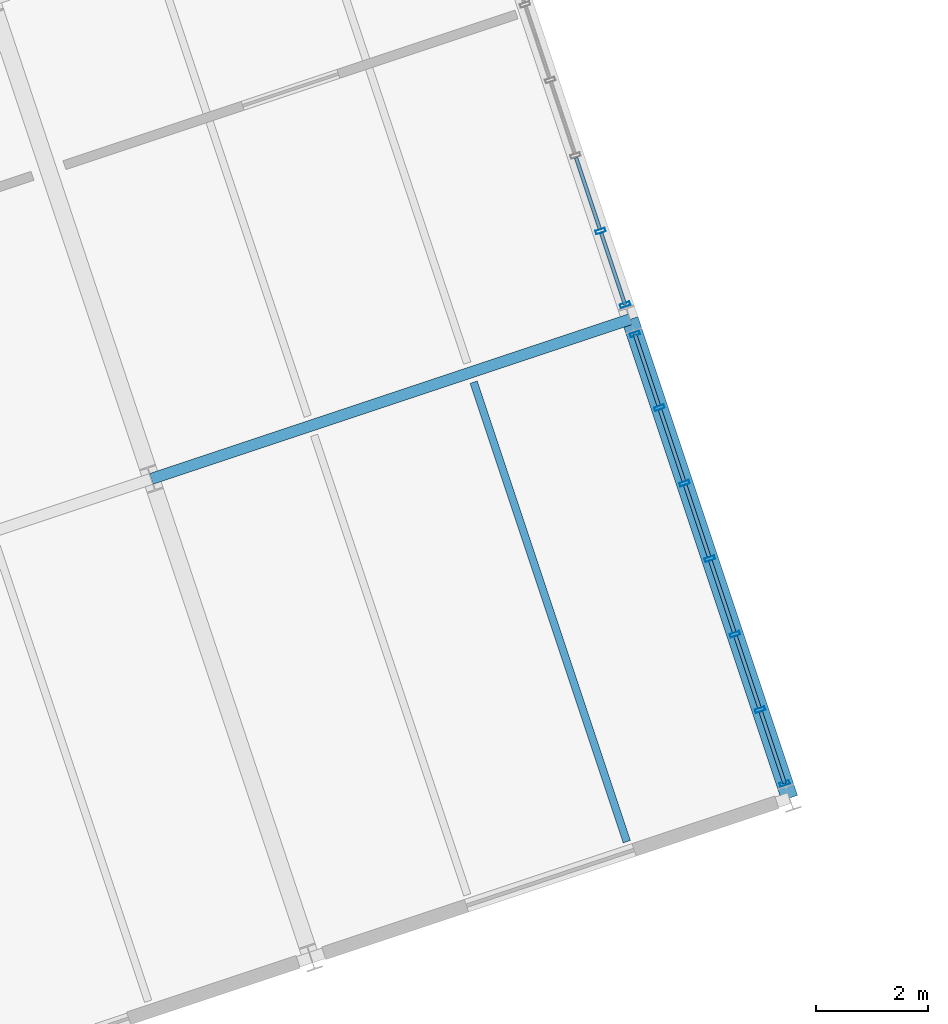
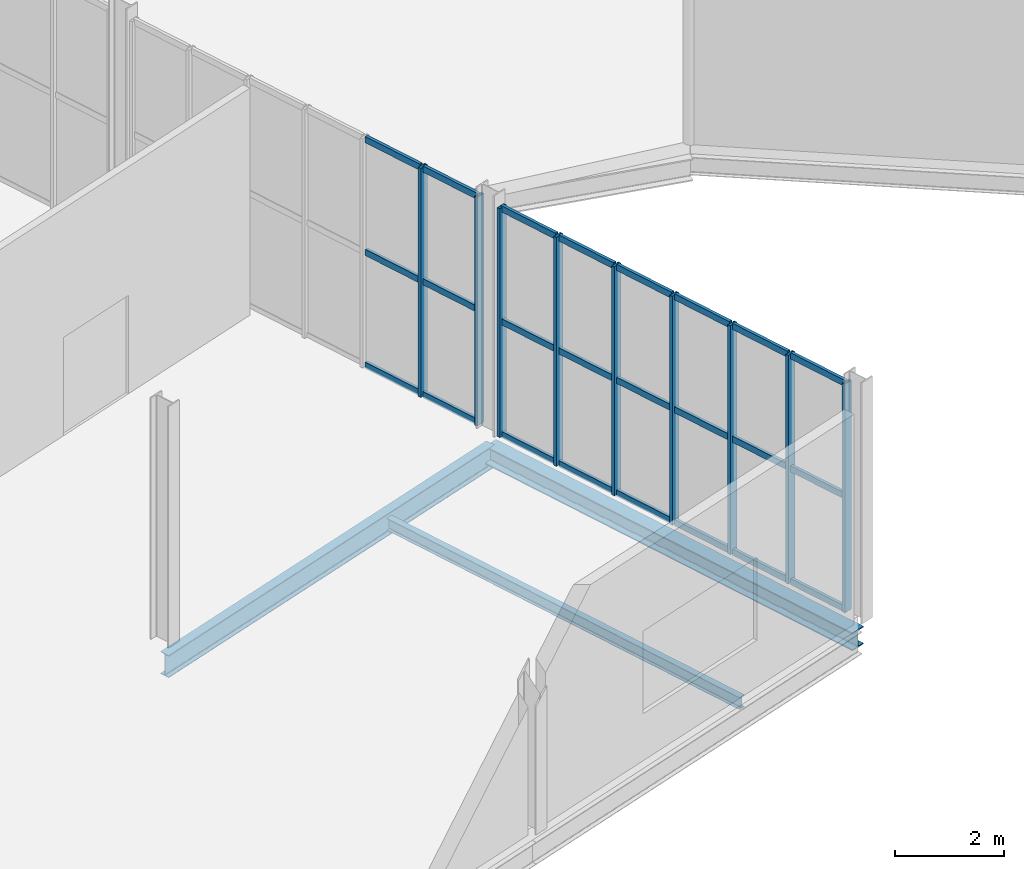
# One storey, part 79 of 158: 33 members, 3 beams, 2 elements without a shape of their own.
"""IFC4 building model written with IfcOpenShell, lengths in metres."""

from ifc_helpers import new_model, si_unit, derived_unit, direction, frame, origin, origin_2d, place, context, subcontext, project, spatial, hollow_rectangle, i_section, extrude, material, material_profile, profile_set, type_object, element, aggregate, save


model = new_model("IFC4")

# Units and contexts
model_context = context("Model", 3, precision=1e-05, world=origin(), true_north=direction((0.0, 1.0)))
body_context = subcontext(model_context, "Body", "Model", "MODEL_VIEW")
ifc_project = project(units=[si_unit("LENGTHUNIT", "METRE"), si_unit("AREAUNIT", "SQUARE_METRE"), si_unit("VOLUMEUNIT", "CUBIC_METRE"), si_unit("PLANEANGLEUNIT", "RADIAN"), si_unit("MASSUNIT", "GRAM", prefix="KILO"), si_unit("THERMODYNAMICTEMPERATUREUNIT", "KELVIN"), si_unit("TIMEUNIT", "SECOND"), derived_unit("THERMALTRANSMITTANCEUNIT", [(si_unit("MASSUNIT", "GRAM", prefix="KILO"), 1), (si_unit("THERMODYNAMICTEMPERATUREUNIT", "KELVIN"), -1), (si_unit("TIMEUNIT", "SECOND"), -3)])], contexts=[model_context])

# Site, building, storey
site_placement = place(None, origin())
site = spatial("IfcSite", under=ifc_project, at=site_placement, CompositionType="ELEMENT")
building_placement = place(site_placement, origin())
building = spatial("IfcBuilding", under=site, at=building_placement, Name="Cambertide Market Hall", CompositionType="ELEMENT")
storey_placement = place(building_placement, origin())
storey = spatial("IfcBuildingStorey", under=building, at=storey_placement, Name="L01", CompositionType="ELEMENT", Elevation=0.0)

# Curtain wall, members
ifc_material_1 = material(Name="Marine Anodized Aluminium 6063-T6 AA25", Category="aluminium")
curtain_wall_type = type_object("IfcCurtainWallType", Name="Food Court Ground Glazed Facade", PredefinedType="USERDEFINED", material=ifc_material_1)
curtain_wall_1_placement = place(storey_placement, origin())
curtain_wall_1 = element("IfcCurtainWall", 1, at=curtain_wall_1_placement, inside=storey, type_object=curtain_wall_type, Name="Level 1 Curtain Wall CW-V3E-L01-1", ObjectType="UNITIZED CURTAIN WALL", PredefinedType="USERDEFINED")
ifc_material_2 = material(Name="Champagne Marine Anodized Aluminium 6063-T6 AA25", Category="aluminium")
ifc_material_profile_1 = material_profile(ifc_material_2, hollow_rectangle(XDim=0.06494140625, YDim=0.179931640625, WallThickness=0.00390625, at=origin_2d()), Name="ALU MULLION 65x180")
ifc_profile_set_1 = profile_set([ifc_material_profile_1], Name="Champagne Marine Anodized Aluminium 6063-T6 AA25")
member_type_1 = type_object("IfcMemberType", Name="Curtain Wall Mullion ALU MULLION 65x180", PredefinedType="MULLION", material=ifc_profile_set_1)
member_1_placement = place(storey_placement, frame((163.008056640625, 40.19970703125, 0.0), z_axis=(0.0, 0.0, 1.0), x_axis=(0.316227695598, -0.948683321523, 0.0)))
member_1 = element("IfcMember", 2, at=member_1_placement, type_object=member_type_1, Name="CW-V3E-L01-1 Mullion 1", PredefinedType="MULLION", context=body_context, shape_type="SweptSolid", body=[
    extrude(hollow_rectangle(XDim=0.06494140625, YDim=0.179931640625, WallThickness=0.00390625, at=origin_2d()), origin(), (0.0, 0.0, 1.0), 5.1201171875),
])
member_2_placement = place(storey_placement, frame((163.446044921875, 38.8857421875, 0.0), z_axis=(0.0, 0.0, 1.0), x_axis=(0.316227695598, -0.948683321523, 0.0)))
member_2 = element("IfcMember", 3, at=member_2_placement, type_object=member_type_1, Name="CW-V3E-L01-1 Mullion 2", PredefinedType="MULLION", context=body_context, shape_type="SweptSolid", body=[
    extrude(hollow_rectangle(XDim=0.06494140625, YDim=0.179931640625, WallThickness=0.00390625, at=origin_2d()), origin(), (0.0, 0.0, 1.0), 5.1201171875),
])
member_3_placement = place(storey_placement, frame((163.89501953125, 37.53857421875, 0.0), z_axis=(0.0, 0.0, 1.0), x_axis=(0.316227695598, -0.948683321523, 0.0)))
member_3 = element("IfcMember", 4, at=member_3_placement, type_object=member_type_1, Name="CW-V3E-L01-1 Mullion 3", PredefinedType="MULLION", context=body_context, shape_type="SweptSolid", body=[
    extrude(hollow_rectangle(XDim=0.06494140625, YDim=0.179931640625, WallThickness=0.00390625, at=origin_2d()), origin(), (0.0, 0.0, 1.0), 5.1201171875),
])
member_4_placement = place(storey_placement, frame((164.343994140625, 36.19140625, 0.0), z_axis=(0.0, 0.0, 1.0), x_axis=(0.316227695598, -0.948683321523, 0.0)))
member_4 = element("IfcMember", 5, at=member_4_placement, type_object=member_type_1, Name="CW-V3E-L01-1 Mullion 4", PredefinedType="MULLION", context=body_context, shape_type="SweptSolid", body=[
    extrude(hollow_rectangle(XDim=0.06494140625, YDim=0.179931640625, WallThickness=0.00390625, at=origin_2d()), origin(), (0.0, 0.0, 1.0), 5.1201171875),
])
member_5_placement = place(storey_placement, frame((164.79296875, 34.84423828125, 0.0), z_axis=(0.0, 0.0, 1.0), x_axis=(0.316227695598, -0.948683321523, 0.0)))
member_5 = element("IfcMember", 6, at=member_5_placement, type_object=member_type_1, Name="CW-V3E-L01-1 Mullion 5", PredefinedType="MULLION", context=body_context, shape_type="SweptSolid", body=[
    extrude(hollow_rectangle(XDim=0.06494140625, YDim=0.179931640625, WallThickness=0.00390625, at=origin_2d()), origin(), (0.0, 0.0, 1.0), 5.1201171875),
])
member_6_placement = place(storey_placement, frame((165.2421875, 33.4970703125, 0.0), z_axis=(0.0, 0.0, 1.0), x_axis=(0.316227695598, -0.948683321523, 0.0)))
member_6 = element("IfcMember", 7, at=member_6_placement, type_object=member_type_1, Name="CW-V3E-L01-1 Mullion 6", PredefinedType="MULLION", context=body_context, shape_type="SweptSolid", body=[
    extrude(hollow_rectangle(XDim=0.06494140625, YDim=0.179931640625, WallThickness=0.00390625, at=origin_2d()), origin(), (0.0, 0.0, 1.0), 5.1201171875),
])
member_7_placement = place(storey_placement, frame((165.68017578125, 32.183349609375, 0.0), z_axis=(0.0, 0.0, 1.0), x_axis=(0.316227695598, -0.948683321523, 0.0)))
member_7 = element("IfcMember", 8, at=member_7_placement, type_object=member_type_1, Name="CW-V3E-L01-1 Mullion 7", PredefinedType="MULLION", context=body_context, shape_type="SweptSolid", body=[
    extrude(hollow_rectangle(XDim=0.06494140625, YDim=0.179931640625, WallThickness=0.00390625, at=origin_2d()), origin(), (0.0, 0.0, 1.0), 5.1201171875),
])

curtain_wall_2_placement = place(storey_placement, origin())
curtain_wall_2 = element("IfcCurtainWall", 9, at=curtain_wall_2_placement, inside=storey, type_object=curtain_wall_type, Name="Level 1 Curtain Wall CW-V3E-L01-2", ObjectType="UNITIZED CURTAIN WALL", PredefinedType="USERDEFINED")
member_8_placement = place(storey_placement, frame((162.39599609375, 42.035400390625, 0.0), z_axis=(0.0, 0.0, 1.0), x_axis=(0.316227695598, -0.948683321523, 0.0)))
member_8 = element("IfcMember", 10, at=member_8_placement, type_object=member_type_1, Name="CW-V3E-L01-2 Mullion 6", PredefinedType="MULLION", context=body_context, shape_type="SweptSolid", body=[
    extrude(hollow_rectangle(XDim=0.06494140625, YDim=0.179931640625, WallThickness=0.00390625, at=origin_2d()), origin(), (0.0, 0.0, 1.0), 5.1201171875),
])
member_9_placement = place(storey_placement, frame((162.833984375, 40.721435546875, 0.0), z_axis=(0.0, 0.0, 1.0), x_axis=(0.316227695598, -0.948683321523, 0.0)))
member_9 = element("IfcMember", 11, at=member_9_placement, type_object=member_type_1, Name="CW-V3E-L01-2 Mullion 7", PredefinedType="MULLION", context=body_context, shape_type="SweptSolid", body=[
    extrude(hollow_rectangle(XDim=0.06494140625, YDim=0.179931640625, WallThickness=0.00390625, at=origin_2d()), origin(), (0.0, 0.0, 1.0), 5.1201171875),
])

# Member
ifc_material_3 = material(Name="Champagne Marine Anodized Aluminium 6063-T6 AA25", Category="aluminium")
ifc_material_profile_2 = material_profile(ifc_material_3, hollow_rectangle(XDim=0.06494140625, YDim=0.139892578125, WallThickness=0.00341796875, at=origin_2d()), Name="ALU TRANSOM 65x140")
ifc_profile_set_2 = profile_set([ifc_material_profile_2], Name="Champagne Marine Anodized Aluminium 6063-T6 AA25")
member_type_2 = type_object("IfcMemberType", Name="Curtain Wall Transom ALU TRANSOM 65x140", PredefinedType="USERDEFINED", material=ifc_profile_set_2)
member_10_placement = place(storey_placement, frame((163.009521484375, 40.19482421875, 0.034912109375), z_axis=(0.316282422593, -0.948665077442, 0.0), x_axis=(0.948665077442, 0.316282422593, 0.0)))
member_10 = element("IfcMember", 12, at=member_10_placement, type_object=member_type_2, Name="CW-V3E-L01-1 Transom 1-1", ObjectType="TRANSOM", PredefinedType="USERDEFINED", context=body_context, shape_type="SweptSolid", body=[
    extrude(hollow_rectangle(XDim=0.06494140625, YDim=0.139892578125, WallThickness=0.00341796875, at=origin_2d()), origin(), (0.0, 0.0, 1.0), 1.340087890625),
])

member_11_placement = place(storey_placement, frame((163.45849609375, 38.84765625, 0.034912109375), z_axis=(0.316282422593, -0.948665077442, 0.0), x_axis=(0.948665077442, 0.316282422593, 0.0)))
member_11 = element("IfcMember", 13, at=member_11_placement, type_object=member_type_2, Name="CW-V3E-L01-1 Transom 1-2", ObjectType="TRANSOM", PredefinedType="USERDEFINED", context=body_context, shape_type="SweptSolid", body=[
    extrude(hollow_rectangle(XDim=0.06494140625, YDim=0.139892578125, WallThickness=0.00341796875, at=origin_2d()), origin(), (0.0, 0.0, 1.0), 1.340087890625),
])

member_12_placement = place(storey_placement, frame((163.90771484375, 37.50048828125, 0.034912109375), z_axis=(0.316173095792, -0.948701519708, 0.0), x_axis=(0.948701519708, 0.316173095792, 0.0)))
member_12 = element("IfcMember", 14, at=member_12_placement, type_object=member_type_2, Name="CW-V3E-L01-1 Transom 1-3", ObjectType="TRANSOM", PredefinedType="USERDEFINED", context=body_context, shape_type="SweptSolid", body=[
    extrude(hollow_rectangle(XDim=0.06494140625, YDim=0.139892578125, WallThickness=0.00341796875, at=origin_2d()), origin(), (0.0, 0.0, 1.0), 1.33984375),
])

member_13_placement = place(storey_placement, frame((164.356689453125, 36.153564453125, 0.034912109375), z_axis=(0.316282422593, -0.948665077442, 0.0), x_axis=(0.948665077442, 0.316282422593, 0.0)))
member_13 = element("IfcMember", 15, at=member_13_placement, type_object=member_type_2, Name="CW-V3E-L01-1 Transom 1-4", ObjectType="TRANSOM", PredefinedType="USERDEFINED", context=body_context, shape_type="SweptSolid", body=[
    extrude(hollow_rectangle(XDim=0.06494140625, YDim=0.139892578125, WallThickness=0.00341796875, at=origin_2d()), origin(), (0.0, 0.0, 1.0), 1.340087890625),
])

member_14_placement = place(storey_placement, frame((164.8056640625, 34.806396484375, 0.034912109375), z_axis=(0.316282422593, -0.948665077442, 0.0), x_axis=(0.948665077442, 0.316282422593, 0.0)))
member_14 = element("IfcMember", 16, at=member_14_placement, type_object=member_type_2, Name="CW-V3E-L01-1 Transom 1-5", ObjectType="TRANSOM", PredefinedType="USERDEFINED", context=body_context, shape_type="SweptSolid", body=[
    extrude(hollow_rectangle(XDim=0.06494140625, YDim=0.139892578125, WallThickness=0.00341796875, at=origin_2d()), origin(), (0.0, 0.0, 1.0), 1.340087890625),
])

member_15_placement = place(storey_placement, frame((165.254638671875, 33.459228515625, 0.034912109375), z_axis=(0.316282422593, -0.948665077442, 0.0), x_axis=(0.948665077442, 0.316282422593, 0.0)))
member_15 = element("IfcMember", 17, at=member_15_placement, type_object=member_type_2, Name="CW-V3E-L01-1 Transom 1-6", ObjectType="TRANSOM", PredefinedType="USERDEFINED", context=body_context, shape_type="SweptSolid", body=[
    extrude(hollow_rectangle(XDim=0.06494140625, YDim=0.139892578125, WallThickness=0.00341796875, at=origin_2d()), origin(), (0.0, 0.0, 1.0), 1.340087890625),
])

member_16_placement = place(storey_placement, frame((163.009521484375, 40.19482421875, 2.56005859375), z_axis=(0.316282422593, -0.948665077442, 0.0), x_axis=(0.948665077442, 0.316282422593, 0.0)))
member_16 = element("IfcMember", 18, at=member_16_placement, type_object=member_type_2, Name="CW-V3E-L01-1 Transom 2-1", ObjectType="TRANSOM", PredefinedType="USERDEFINED", context=body_context, shape_type="SweptSolid", body=[
    extrude(hollow_rectangle(XDim=0.06494140625, YDim=0.139892578125, WallThickness=0.00341796875, at=origin_2d()), origin(), (0.0, 0.0, 1.0), 1.340087890625),
])

member_17_placement = place(storey_placement, frame((163.45849609375, 38.84765625, 2.56005859375), z_axis=(0.316282422593, -0.948665077442, 0.0), x_axis=(0.948665077442, 0.316282422593, 0.0)))
member_17 = element("IfcMember", 19, at=member_17_placement, type_object=member_type_2, Name="CW-V3E-L01-1 Transom 2-2", ObjectType="TRANSOM", PredefinedType="USERDEFINED", context=body_context, shape_type="SweptSolid", body=[
    extrude(hollow_rectangle(XDim=0.06494140625, YDim=0.139892578125, WallThickness=0.00341796875, at=origin_2d()), origin(), (0.0, 0.0, 1.0), 1.340087890625),
])

member_18_placement = place(storey_placement, frame((163.90771484375, 37.50048828125, 2.56005859375), z_axis=(0.316173095792, -0.948701519708, 0.0), x_axis=(0.948701519708, 0.316173095792, 0.0)))
member_18 = element("IfcMember", 20, at=member_18_placement, type_object=member_type_2, Name="CW-V3E-L01-1 Transom 2-3", ObjectType="TRANSOM", PredefinedType="USERDEFINED", context=body_context, shape_type="SweptSolid", body=[
    extrude(hollow_rectangle(XDim=0.06494140625, YDim=0.139892578125, WallThickness=0.00341796875, at=origin_2d()), origin(), (0.0, 0.0, 1.0), 1.33984375),
])

member_19_placement = place(storey_placement, frame((164.356689453125, 36.153564453125, 2.56005859375), z_axis=(0.316282422593, -0.948665077442, 0.0), x_axis=(0.948665077442, 0.316282422593, 0.0)))
member_19 = element("IfcMember", 21, at=member_19_placement, type_object=member_type_2, Name="CW-V3E-L01-1 Transom 2-4", ObjectType="TRANSOM", PredefinedType="USERDEFINED", context=body_context, shape_type="SweptSolid", body=[
    extrude(hollow_rectangle(XDim=0.06494140625, YDim=0.139892578125, WallThickness=0.00341796875, at=origin_2d()), origin(), (0.0, 0.0, 1.0), 1.340087890625),
])

member_20_placement = place(storey_placement, frame((164.8056640625, 34.806396484375, 2.56005859375), z_axis=(0.316282422593, -0.948665077442, 0.0), x_axis=(0.948665077442, 0.316282422593, 0.0)))
member_20 = element("IfcMember", 22, at=member_20_placement, type_object=member_type_2, Name="CW-V3E-L01-1 Transom 2-5", ObjectType="TRANSOM", PredefinedType="USERDEFINED", context=body_context, shape_type="SweptSolid", body=[
    extrude(hollow_rectangle(XDim=0.06494140625, YDim=0.139892578125, WallThickness=0.00341796875, at=origin_2d()), origin(), (0.0, 0.0, 1.0), 1.340087890625),
])

member_21_placement = place(storey_placement, frame((165.254638671875, 33.459228515625, 2.56005859375), z_axis=(0.316282422593, -0.948665077442, 0.0), x_axis=(0.948665077442, 0.316282422593, 0.0)))
member_21 = element("IfcMember", 23, at=member_21_placement, type_object=member_type_2, Name="CW-V3E-L01-1 Transom 2-6", ObjectType="TRANSOM", PredefinedType="USERDEFINED", context=body_context, shape_type="SweptSolid", body=[
    extrude(hollow_rectangle(XDim=0.06494140625, YDim=0.139892578125, WallThickness=0.00341796875, at=origin_2d()), origin(), (0.0, 0.0, 1.0), 1.340087890625),
])

member_22_placement = place(storey_placement, frame((163.009521484375, 40.19482421875, 5.0849609375), z_axis=(0.316282422593, -0.948665077442, 0.0), x_axis=(0.948665077442, 0.316282422593, 0.0)))
member_22 = element("IfcMember", 24, at=member_22_placement, type_object=member_type_2, Name="CW-V3E-L01-1 Transom 3-1", ObjectType="TRANSOM", PredefinedType="USERDEFINED", context=body_context, shape_type="SweptSolid", body=[
    extrude(hollow_rectangle(XDim=0.06494140625, YDim=0.139892578125, WallThickness=0.00341796875, at=origin_2d()), origin(), (0.0, 0.0, 1.0), 1.340087890625),
])

member_23_placement = place(storey_placement, frame((163.45849609375, 38.84765625, 5.0849609375), z_axis=(0.316282422593, -0.948665077442, 0.0), x_axis=(0.948665077442, 0.316282422593, 0.0)))
member_23 = element("IfcMember", 25, at=member_23_placement, type_object=member_type_2, Name="CW-V3E-L01-1 Transom 3-2", ObjectType="TRANSOM", PredefinedType="USERDEFINED", context=body_context, shape_type="SweptSolid", body=[
    extrude(hollow_rectangle(XDim=0.06494140625, YDim=0.139892578125, WallThickness=0.00341796875, at=origin_2d()), origin(), (0.0, 0.0, 1.0), 1.340087890625),
])

member_24_placement = place(storey_placement, frame((163.90771484375, 37.50048828125, 5.0849609375), z_axis=(0.316173095792, -0.948701519708, 0.0), x_axis=(0.948701519708, 0.316173095792, 0.0)))
member_24 = element("IfcMember", 26, at=member_24_placement, type_object=member_type_2, Name="CW-V3E-L01-1 Transom 3-3", ObjectType="TRANSOM", PredefinedType="USERDEFINED", context=body_context, shape_type="SweptSolid", body=[
    extrude(hollow_rectangle(XDim=0.06494140625, YDim=0.139892578125, WallThickness=0.00341796875, at=origin_2d()), origin(), (0.0, 0.0, 1.0), 1.33984375),
])

member_25_placement = place(storey_placement, frame((164.356689453125, 36.153564453125, 5.0849609375), z_axis=(0.316282422593, -0.948665077442, 0.0), x_axis=(0.948665077442, 0.316282422593, 0.0)))
member_25 = element("IfcMember", 27, at=member_25_placement, type_object=member_type_2, Name="CW-V3E-L01-1 Transom 3-4", ObjectType="TRANSOM", PredefinedType="USERDEFINED", context=body_context, shape_type="SweptSolid", body=[
    extrude(hollow_rectangle(XDim=0.06494140625, YDim=0.139892578125, WallThickness=0.00341796875, at=origin_2d()), origin(), (0.0, 0.0, 1.0), 1.340087890625),
])

member_26_placement = place(storey_placement, frame((164.8056640625, 34.806396484375, 5.0849609375), z_axis=(0.316282422593, -0.948665077442, 0.0), x_axis=(0.948665077442, 0.316282422593, 0.0)))
member_26 = element("IfcMember", 28, at=member_26_placement, type_object=member_type_2, Name="CW-V3E-L01-1 Transom 3-5", ObjectType="TRANSOM", PredefinedType="USERDEFINED", context=body_context, shape_type="SweptSolid", body=[
    extrude(hollow_rectangle(XDim=0.06494140625, YDim=0.139892578125, WallThickness=0.00341796875, at=origin_2d()), origin(), (0.0, 0.0, 1.0), 1.340087890625),
])

member_27_placement = place(storey_placement, frame((165.254638671875, 33.459228515625, 5.0849609375), z_axis=(0.316282422593, -0.948665077442, 0.0), x_axis=(0.948665077442, 0.316282422593, 0.0)))
member_27 = element("IfcMember", 29, at=member_27_placement, type_object=member_type_2, Name="CW-V3E-L01-1 Transom 3-6", ObjectType="TRANSOM", PredefinedType="USERDEFINED", context=body_context, shape_type="SweptSolid", body=[
    extrude(hollow_rectangle(XDim=0.06494140625, YDim=0.139892578125, WallThickness=0.00341796875, at=origin_2d()), origin(), (0.0, 0.0, 1.0), 1.340087890625),
])

aggregate(curtain_wall_1, [member_1, member_2, member_3, member_4, member_5, member_6, member_7, member_10, member_11, member_12, member_13, member_14, member_15, member_16, member_17, member_18, member_19, member_20, member_21, member_22, member_23, member_24, member_25, member_26, member_27])

member_28_placement = place(storey_placement, frame((161.959716796875, 43.344482421875, 0.034912109375), z_axis=(0.316118443418, -0.948719731918, 0.0), x_axis=(0.948719731918, 0.316118443418, 0.0)))
member_28 = element("IfcMember", 30, at=member_28_placement, type_object=member_type_2, Name="CW-V3E-L01-2 Transom 1-5", ObjectType="TRANSOM", PredefinedType="USERDEFINED", context=body_context, shape_type="SweptSolid", body=[
    extrude(hollow_rectangle(XDim=0.06494140625, YDim=0.139892578125, WallThickness=0.00341796875, at=origin_2d()), origin(), (0.0, 0.0, 1.0), 1.33984375),
])

member_29_placement = place(storey_placement, frame((162.40869140625, 41.997314453125, 0.034912109375), z_axis=(0.316282422593, -0.948665077442, 0.0), x_axis=(0.948665077442, 0.316282422593, 0.0)))
member_29 = element("IfcMember", 31, at=member_29_placement, type_object=member_type_2, Name="CW-V3E-L01-2 Transom 1-6", ObjectType="TRANSOM", PredefinedType="USERDEFINED", context=body_context, shape_type="SweptSolid", body=[
    extrude(hollow_rectangle(XDim=0.06494140625, YDim=0.139892578125, WallThickness=0.00341796875, at=origin_2d()), origin(), (0.0, 0.0, 1.0), 1.340087890625),
])

member_30_placement = place(storey_placement, frame((161.959716796875, 43.344482421875, 2.56005859375), z_axis=(0.316118443418, -0.948719731918, 0.0), x_axis=(0.948719731918, 0.316118443418, 0.0)))
member_30 = element("IfcMember", 32, at=member_30_placement, type_object=member_type_2, Name="CW-V3E-L01-2 Transom 2-5", ObjectType="TRANSOM", PredefinedType="USERDEFINED", context=body_context, shape_type="SweptSolid", body=[
    extrude(hollow_rectangle(XDim=0.06494140625, YDim=0.139892578125, WallThickness=0.00341796875, at=origin_2d()), origin(), (0.0, 0.0, 1.0), 1.33984375),
])

member_31_placement = place(storey_placement, frame((162.40869140625, 41.997314453125, 2.56005859375), z_axis=(0.316282422593, -0.948665077442, 0.0), x_axis=(0.948665077442, 0.316282422593, 0.0)))
member_31 = element("IfcMember", 33, at=member_31_placement, type_object=member_type_2, Name="CW-V3E-L01-2 Transom 2-6", ObjectType="TRANSOM", PredefinedType="USERDEFINED", context=body_context, shape_type="SweptSolid", body=[
    extrude(hollow_rectangle(XDim=0.06494140625, YDim=0.139892578125, WallThickness=0.00341796875, at=origin_2d()), origin(), (0.0, 0.0, 1.0), 1.340087890625),
])

member_32_placement = place(storey_placement, frame((161.959716796875, 43.344482421875, 5.0849609375), z_axis=(0.316118443418, -0.948719731918, 0.0), x_axis=(0.948719731918, 0.316118443418, 0.0)))
member_32 = element("IfcMember", 34, at=member_32_placement, type_object=member_type_2, Name="CW-V3E-L01-2 Transom 3-5", ObjectType="TRANSOM", PredefinedType="USERDEFINED", context=body_context, shape_type="SweptSolid", body=[
    extrude(hollow_rectangle(XDim=0.06494140625, YDim=0.139892578125, WallThickness=0.00341796875, at=origin_2d()), origin(), (0.0, 0.0, 1.0), 1.33984375),
])

member_33_placement = place(storey_placement, frame((162.40869140625, 41.997314453125, 5.0849609375), z_axis=(0.316282422593, -0.948665077442, 0.0), x_axis=(0.948665077442, 0.316282422593, 0.0)))
member_33 = element("IfcMember", 35, at=member_33_placement, type_object=member_type_2, Name="CW-V3E-L01-2 Transom 3-6", ObjectType="TRANSOM", PredefinedType="USERDEFINED", context=body_context, shape_type="SweptSolid", body=[
    extrude(hollow_rectangle(XDim=0.06494140625, YDim=0.139892578125, WallThickness=0.00341796875, at=origin_2d()), origin(), (0.0, 0.0, 1.0), 1.340087890625),
])

aggregate(curtain_wall_2, [member_8, member_9, member_28, member_29, member_30, member_31, member_32, member_33])

# Beams
ifc_material_4 = material(Name="Steel S355", Category="steel")
ifc_material_profile_3 = material_profile(ifc_material_4, i_section(OverallWidth=0.300048828125, OverallDepth=0.39990234375, WebThickness=0.013427734375, FlangeThickness=0.02392578125, FilletRadius=0.027099609375, at=origin_2d()), Name="HEB 400")
ifc_profile_set_3 = profile_set([ifc_material_profile_3], Name="Steel S355")
beam_type_1 = type_object("IfcBeamType", Name="Steel Girder HEB 400", PredefinedType="BEAM", material=ifc_profile_set_3)
beam_1_placement = place(storey_placement, frame((165.76708984375, 31.92236328125, -0.5), z_axis=(-0.31624404204, 0.948677872554, 0.0), x_axis=(-0.948677872554, -0.31624404204, 0.0)))
element("IfcBeam", 36, at=beam_1_placement, inside=storey, type_object=beam_type_1, Name="Level 1 Beam BM-V3V-L01-8-1", PredefinedType="BEAM", context=body_context, shape_type="SweptSolid", body=[
    extrude(i_section(OverallWidth=0.300048828125, OverallDepth=0.39990234375, WebThickness=0.013427734375, FlangeThickness=0.02392578125, FilletRadius=0.027099609375, at=origin_2d()), origin(), (0.0, 0.0, 1.0), 9.0),
])
ifc_material_5 = material(Name="Steel S355", Category="steel")
ifc_material_profile_4 = material_profile(ifc_material_5, i_section(OverallWidth=0.199951171875, OverallDepth=0.5, WebThickness=0.01025390625, FlangeThickness=0.01611328125, FilletRadius=0.02099609375, at=origin_2d()), Name="IPE 500")
ifc_profile_set_4 = profile_set([ifc_material_profile_4], Name="Steel S355")
beam_type_2 = type_object("IfcBeamType", Name="Steel Girder IPE 500", PredefinedType="BEAM", material=ifc_profile_set_4)
beam_2_placement = place(storey_placement, frame((154.3828125, 37.614501953125, -0.550048828125), z_axis=(0.948686010717, 0.3162196279, 0.0), x_axis=(-0.3162196279, 0.948686010717, 0.0)))
element("IfcBeam", 37, at=beam_2_placement, inside=storey, type_object=beam_type_2, Name="Level 1 Beam BM-V3U-L01-7-2", PredefinedType="BEAM", context=body_context, shape_type="SweptSolid", body=[
    extrude(i_section(OverallWidth=0.199951171875, OverallDepth=0.5, WebThickness=0.01025390625, FlangeThickness=0.01611328125, FilletRadius=0.02099609375, at=origin_2d()), origin(), (0.0, 0.0, 1.0), 9.0),
])
ifc_material_6 = material(Name="Steel S275", Category="steel")
ifc_material_profile_5 = material_profile(ifc_material_6, i_section(OverallWidth=0.135009765625, OverallDepth=0.27001953125, WebThickness=0.006591796875, FlangeThickness=0.01025390625, FilletRadius=0.014892578125, at=origin_2d()), Name="IPE 270")
ifc_profile_set_5 = profile_set([ifc_material_profile_5], Name="Steel S275")
beam_type_3 = type_object("IfcBeamType", Name="Steel Secondary Joist IPE 270", PredefinedType="JOIST", material=ifc_profile_set_5)
beam_3_placement = place(storey_placement, frame((162.864013671875, 31.14453125, -0.43505859375), z_axis=(-0.316227766017, 0.948683298051, 0.0), x_axis=(-0.948683298051, -0.316227766017, 0.0)))
element("IfcBeam", 38, at=beam_3_placement, inside=storey, type_object=beam_type_3, Name="Level 1 Joist JS-V3-L01-7-1-2", PredefinedType="JOIST", context=body_context, shape_type="SweptSolid", body=[
    extrude(i_section(OverallWidth=0.135009765625, OverallDepth=0.27001953125, WebThickness=0.006591796875, FlangeThickness=0.01025390625, FilletRadius=0.014892578125, at=origin_2d()), origin(), (0.0, 0.0, 1.0), 8.639892578125),
])

save(model, "model.ifc")
